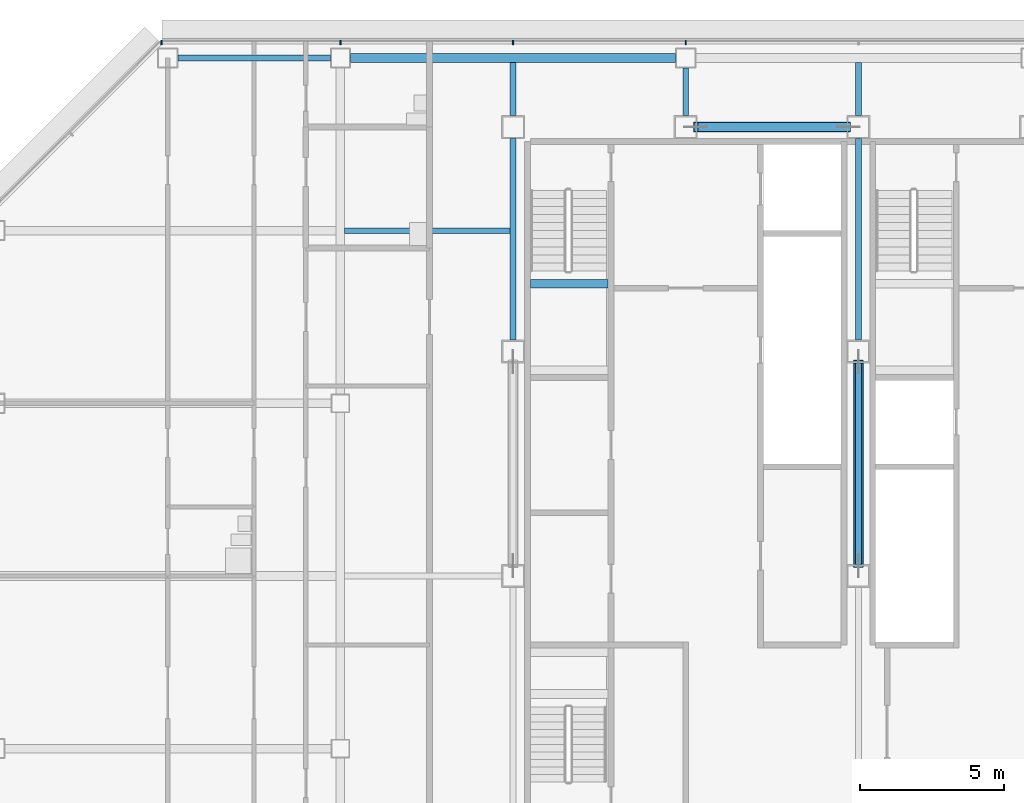
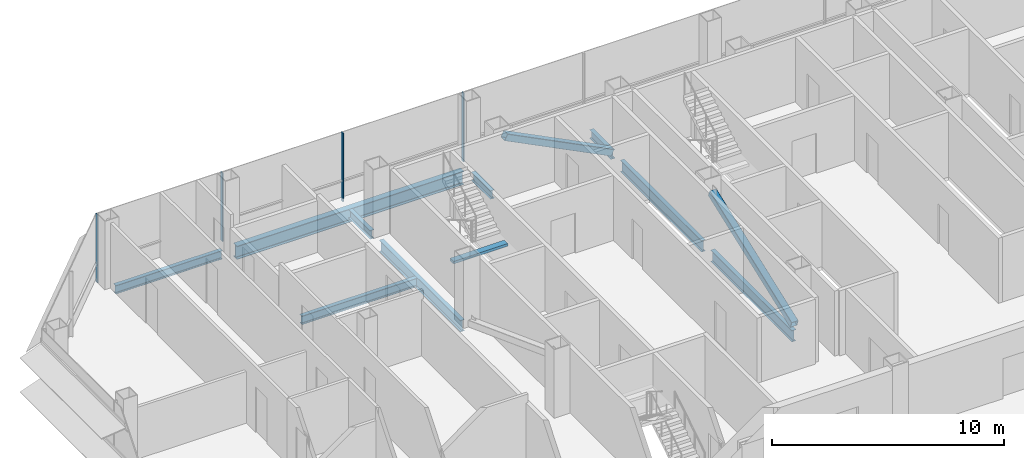
# One storey, part 12 of 27: 10 beams, 6 members, 1 element without a shape of its own.
"""IFC4 building model written with IfcOpenShell, lengths in metres."""

from ifc_helpers import new_model, si_unit, direction, frame, origin, origin_2d, place, context, subcontext, project, spatial, rectangle, hollow_rectangle, i_section, extrude, material, material_profile, profile_set, type_object, element, aggregate, save


model = new_model("IFC4")

# Units and contexts
model_context = context("Model", 3, precision=1e-05, world=origin(), true_north=direction((0.0, 1.0)))
body_context = subcontext(model_context, "Body", "Model", "MODEL_VIEW")
ifc_project = project(units=[si_unit("LENGTHUNIT", "METRE"), si_unit("AREAUNIT", "SQUARE_METRE"), si_unit("VOLUMEUNIT", "CUBIC_METRE"), si_unit("PLANEANGLEUNIT", "RADIAN"), si_unit("MASSUNIT", "GRAM", prefix="KILO")], contexts=[model_context])

# Site, building, storey
site_placement = place(None, origin())
site = spatial("IfcSite", under=ifc_project, at=site_placement, CompositionType="ELEMENT")
building_placement = place(site_placement, origin())
building = spatial("IfcBuilding", under=site, at=building_placement, Name="Sorahane Residences", CompositionType="ELEMENT")
storey_placement = place(building_placement, frame((0.0, 0.0, 195.60009765625)))
storey = spatial("IfcBuildingStorey", under=building, at=storey_placement, Name="L45", CompositionType="ELEMENT", Elevation=195.60009765625)

# Members
ifc_material_1 = material(Name="Steel Q355B", Category="steel")
ifc_material_profile_1 = material_profile(ifc_material_1, hollow_rectangle(XDim=0.35009765625, YDim=0.35009765625, WallThickness=0.01806640625, InnerFilletRadius=0.009033203125, OuterFilletRadius=0.027099609375, at=origin_2d()), Name="RHS 350x350x18")
ifc_profile_set_1 = profile_set([ifc_material_profile_1], Name="Steel Q355B")
member_type_1 = type_object("IfcMemberType", Name="Core brace RHS 350x350x18 Q355B", PredefinedType="BRACE", material=ifc_profile_set_1)
member_1_placement = place(storey_placement, frame((17.647216796875, 45.60009765625, 0.151123046875), z_axis=(-0.893055794866, 0.0, 0.449945938149), x_axis=(0.0, -1.0, 0.0)))
element("IfcMember", 1, at=member_1_placement, inside=storey, type_object=member_type_1, Name="Core brace L45 y45.6-2", PredefinedType="BRACE", context=body_context, shape_type="SweptSolid", body=[
    extrude(hollow_rectangle(XDim=0.35009765625, YDim=0.35009765625, WallThickness=0.01806640625, InnerFilletRadius=0.009033203125, OuterFilletRadius=0.027099609375, at=origin_2d()), origin(), (0.0, 0.0, 1.0), 5.928466796875),
])
member_2_placement = place(storey_placement, frame((18.0, 30.36328125, 0.1611328125), z_axis=(0.0, 0.936550837269, 0.350531780601), x_axis=(-1.0, 0.0, 0.0)))
element("IfcMember", 2, at=member_2_placement, inside=storey, type_object=member_type_1, Name="Core brace L45 x18-1", PredefinedType="BRACE", context=body_context, shape_type="SweptSolid", body=[
    extrude(hollow_rectangle(XDim=0.35009765625, YDim=0.35009765625, WallThickness=0.01806640625, InnerFilletRadius=0.009033203125, OuterFilletRadius=0.027099609375, at=origin_2d()), origin(), (0.0, 0.0, 1.0), 7.552734375),
])

# Curtain wall, members
ifc_material_2 = material(Name="Dark low-e glass and black anodised aluminium", Category="aluminium")
curtain_wall_type = type_object("IfcCurtainWallType", Name="Curtain wall CW-1 Typical unitised wall", PredefinedType="NOTDEFINED", material=ifc_material_2)
curtain_wall_placement = place(storey_placement, origin())
curtain_wall = element("IfcCurtainWall", 3, at=curtain_wall_placement, inside=storey, type_object=curtain_wall_type, Name="CW-1 curtain wall L45 N1", PredefinedType="NOTDEFINED")
ifc_material_3 = material(Name="Black anodised aluminium", Category="aluminium")
ifc_material_profile_2 = material_profile(ifc_material_3, rectangle(XDim=0.159912109375, YDim=0.050048828125, at=origin_2d()), Name="Curtain wall mullion CW-1 black anodised aluminium 50x160")
ifc_profile_set_2 = profile_set([ifc_material_profile_2], Name="Black anodised aluminium")
member_type_2 = type_object("IfcMemberType", Name="Curtain wall mullion CW-1 black anodised aluminium 50x160", PredefinedType="MULLION", material=ifc_profile_set_2)
member_3_placement = place(storey_placement, frame((12.0, 48.5400390625, -0.18017578125), z_axis=(0.0, 0.0, 1.0), x_axis=(0.0, 1.0, 0.0)))
member_3 = element("IfcMember", 4, at=member_3_placement, type_object=member_type_2, Name="CW-1 mullion L45 N1.7", PredefinedType="MULLION", context=body_context, shape_type="SweptSolid", body=[
    extrude(rectangle(XDim=0.159912109375, YDim=0.050048828125, at=origin_2d()), origin(), (0.0, 0.0, 1.0), 3.60009765625),
])
member_4_placement = place(storey_placement, frame((6.0, 48.5400390625, -0.18017578125), z_axis=(0.0, 0.0, 1.0), x_axis=(0.0, 1.0, 0.0)))
member_4 = element("IfcMember", 5, at=member_4_placement, type_object=member_type_2, Name="CW-1 mullion L45 N1.8", PredefinedType="MULLION", context=body_context, shape_type="SweptSolid", body=[
    extrude(rectangle(XDim=0.159912109375, YDim=0.050048828125, at=origin_2d()), origin(), (0.0, 0.0, 1.0), 3.60009765625),
])
member_5_placement = place(storey_placement, frame((0.0, 48.5400390625, -0.18017578125), z_axis=(0.0, 0.0, 1.0), x_axis=(0.0, 1.0, 0.0)))
member_5 = element("IfcMember", 6, at=member_5_placement, type_object=member_type_2, Name="CW-1 mullion L45 N1.9", PredefinedType="MULLION", context=body_context, shape_type="SweptSolid", body=[
    extrude(rectangle(XDim=0.159912109375, YDim=0.050048828125, at=origin_2d()), origin(), (0.0, 0.0, 1.0), 3.60009765625),
])
member_6_placement = place(storey_placement, frame((-6.2236328125, 48.5400390625, -0.18017578125), z_axis=(0.0, 0.0, 1.0), x_axis=(0.0, 1.0, 0.0)))
member_6 = element("IfcMember", 7, at=member_6_placement, type_object=member_type_2, Name="CW-1 mullion L45 N1.10", PredefinedType="MULLION", context=body_context, shape_type="SweptSolid", body=[
    extrude(rectangle(XDim=0.159912109375, YDim=0.050048828125, at=origin_2d()), origin(), (0.0, 0.0, 1.0), 3.60009765625),
])
aggregate(curtain_wall, [member_3, member_4, member_5, member_6])

# Beams
ifc_material_4 = material(Name="Concrete C40", Category="concrete")
ifc_material_profile_3 = material_profile(ifc_material_4, rectangle(XDim=0.300048828125, YDim=0.139892578125, at=origin_2d()), Name="300x140")
ifc_profile_set_3 = profile_set([ifc_material_profile_3], Name="Concrete C40")
beam_type_1 = type_object("IfcBeamType", Name="RC landing beam 300 x 140 Concrete C40", PredefinedType="BEAM", material=ifc_profile_set_3)
beam_1_placement = place(storey_placement, frame((6.60009765625, 40.14990234375, 1.52978515625), z_axis=(1.0, 0.0, 0.0), x_axis=(0.0, 1.0, 0.0)))
element("IfcBeam", 8, at=beam_1_placement, inside=storey, type_object=beam_type_1, Name="Landing beam", PredefinedType="BEAM", context=body_context, shape_type="SweptSolid", body=[
    extrude(rectangle(XDim=0.300048828125, YDim=0.139892578125, at=origin_2d()), origin(), (0.0, 0.0, 1.0), 2.699951171875),
])
ifc_material_5 = material(Name="Steel Q355B", Category="steel")
ifc_material_profile_4 = material_profile(ifc_material_5, i_section(OverallWidth=0.199951171875, OverallDepth=0.449951171875, WebThickness=0.009033203125, FlangeThickness=0.013916015625, FilletRadius=0.02001953125, at=origin_2d()), Name="HN 450x200x9x14")
ifc_profile_set_4 = profile_set([ifc_material_profile_4], Name="Steel Q355B")
beam_type_2 = type_object("IfcBeamType", Name="Steel floor beam HN 450x200x9x14 Q355B", PredefinedType="BEAM", material=ifc_profile_set_4)
beam_2_placement = place(storey_placement, frame((-5.64990234375, 48.0, -0.405029296875), z_axis=(1.0, 0.0, 0.0), x_axis=(0.0, 1.0, 0.0)))
element("IfcBeam", 9, at=beam_2_placement, inside=storey, type_object=beam_type_2, Name="Beam L45 015", PredefinedType="BEAM", context=body_context, shape_type="SweptSolid", body=[
    extrude(i_section(OverallWidth=0.199951171875, OverallDepth=0.449951171875, WebThickness=0.009033203125, FlangeThickness=0.013916015625, FilletRadius=0.02001953125, at=origin_2d()), origin(), (0.0, 0.0, 1.0), 5.2998046875),
])
beam_3_placement = place(storey_placement, frame((6.0, 46.0, -0.405029296875), z_axis=(0.0, 1.0, 0.0), x_axis=(-1.0, 0.0, 0.0)))
element("IfcBeam", 10, at=beam_3_placement, inside=storey, type_object=beam_type_2, Name="Beam L45 033", PredefinedType="BEAM", context=body_context, shape_type="SweptSolid", body=[
    extrude(i_section(OverallWidth=0.199951171875, OverallDepth=0.449951171875, WebThickness=0.009033203125, FlangeThickness=0.013916015625, FilletRadius=0.02001953125, at=origin_2d()), origin(), (0.0, 0.0, 1.0), 1.85009765625),
])
beam_4_placement = place(storey_placement, frame((12.0, 46.0, -0.405029296875), z_axis=(0.0, 1.0, 0.0), x_axis=(-1.0, 0.0, 0.0)))
element("IfcBeam", 11, at=beam_4_placement, inside=storey, type_object=beam_type_2, Name="Beam L45 035", PredefinedType="BEAM", context=body_context, shape_type="SweptSolid", body=[
    extrude(i_section(OverallWidth=0.199951171875, OverallDepth=0.449951171875, WebThickness=0.009033203125, FlangeThickness=0.013916015625, FilletRadius=0.02001953125, at=origin_2d()), origin(), (0.0, 0.0, 1.0), 1.64990234375),
])
beam_5_placement = place(storey_placement, frame((18.0, 46.0, -0.405029296875), z_axis=(0.0, 1.0, 0.0), x_axis=(-1.0, 0.0, 0.0)))
element("IfcBeam", 12, at=beam_5_placement, inside=storey, type_object=beam_type_2, Name="Beam L45 041", PredefinedType="BEAM", context=body_context, shape_type="SweptSolid", body=[
    extrude(i_section(OverallWidth=0.199951171875, OverallDepth=0.449951171875, WebThickness=0.009033203125, FlangeThickness=0.013916015625, FilletRadius=0.02001953125, at=origin_2d()), origin(), (0.0, 0.0, 1.0), 1.85009765625),
])
beam_6_placement = place(storey_placement, frame((0.14990234375, 42.0, -0.405029296875), z_axis=(1.0, 0.0, 0.0), x_axis=(0.0, 1.0, 0.0)))
element("IfcBeam", 13, at=beam_6_placement, inside=storey, type_object=beam_type_2, Name="Beam L45 090", PredefinedType="BEAM", context=body_context, shape_type="SweptSolid", body=[
    extrude(i_section(OverallWidth=0.199951171875, OverallDepth=0.449951171875, WebThickness=0.009033203125, FlangeThickness=0.013916015625, FilletRadius=0.02001953125, at=origin_2d()), origin(), (0.0, 0.0, 1.0), 5.75),
])
ifc_material_6 = material(Name="Steel Q355B", Category="steel")
ifc_material_profile_5 = material_profile(ifc_material_6, i_section(OverallWidth=0.199951171875, OverallDepth=0.60009765625, WebThickness=0.010986328125, FlangeThickness=0.01708984375, FilletRadius=0.02392578125, at=origin_2d()), Name="HN 600x200x11x17")
ifc_profile_set_5 = profile_set([ifc_material_profile_5], Name="Steel Q355B")
beam_type_3 = type_object("IfcBeamType", Name="Steel floor beam HN 600x200x11x17 Q355B", PredefinedType="BEAM", material=ifc_profile_set_5)
for number, where, z_axis, x_axis, name in (
    (14, (6.0, 38.199951171875, -0.47998046875), (0.0, 1.0, 0.0), (-1.0, 0.0, 0.0), "Beam L45 032"),
    (15, (18.0, 30.39990234375, -0.47998046875), (0.0, 1.0, 0.0), (-1.0, 0.0, 0.0), "Beam L45 039"),
    (16, (18.0, 38.199951171875, -0.47998046875), (0.0, 1.0, 0.0), (-1.0, 0.0, 0.0), "Beam L45 040"),
):
    element("IfcBeam", number, at=place(storey_placement, frame(where, z_axis=z_axis, x_axis=x_axis)), inside=storey, type_object=beam_type_3, Name=name, PredefinedType="BEAM", context=body_context, shape_type="SweptSolid", body=[
        extrude(i_section(OverallWidth=0.199951171875, OverallDepth=0.60009765625, WebThickness=0.010986328125, FlangeThickness=0.01708984375, FilletRadius=0.02392578125, at=origin_2d()), origin(), (0.0, 0.0, 1.0), 7.0),
    ])
ifc_material_7 = material(Name="Steel Q355B", Category="steel")
ifc_material_profile_6 = material_profile(ifc_material_7, i_section(OverallWidth=0.300048828125, OverallDepth=0.699951171875, WebThickness=0.012939453125, FlangeThickness=0.02392578125, FilletRadius=0.028076171875, at=origin_2d()), Name="HN 700x300x13x24")
ifc_profile_set_6 = profile_set([ifc_material_profile_6], Name="Steel Q355B")
beam_type_4 = type_object("IfcBeamType", Name="Steel floor beam HN 700x300x13x24 Q355B", PredefinedType="BEAM", material=ifc_profile_set_6)
beam_7_placement = place(storey_placement, frame((0.35009765625, 48.0, -0.530029296875), z_axis=(1.0, 0.0, 0.0), x_axis=(0.0, 1.0, 0.0)))
element("IfcBeam", 17, at=beam_7_placement, inside=storey, type_object=beam_type_4, Name="Beam L45 016", PredefinedType="BEAM", context=body_context, shape_type="SweptSolid", body=[
    extrude(i_section(OverallWidth=0.300048828125, OverallDepth=0.699951171875, WebThickness=0.012939453125, FlangeThickness=0.02392578125, FilletRadius=0.028076171875, at=origin_2d()), origin(), (0.0, 0.0, 1.0), 11.2998046875),
])

save(model, "model.ifc")
